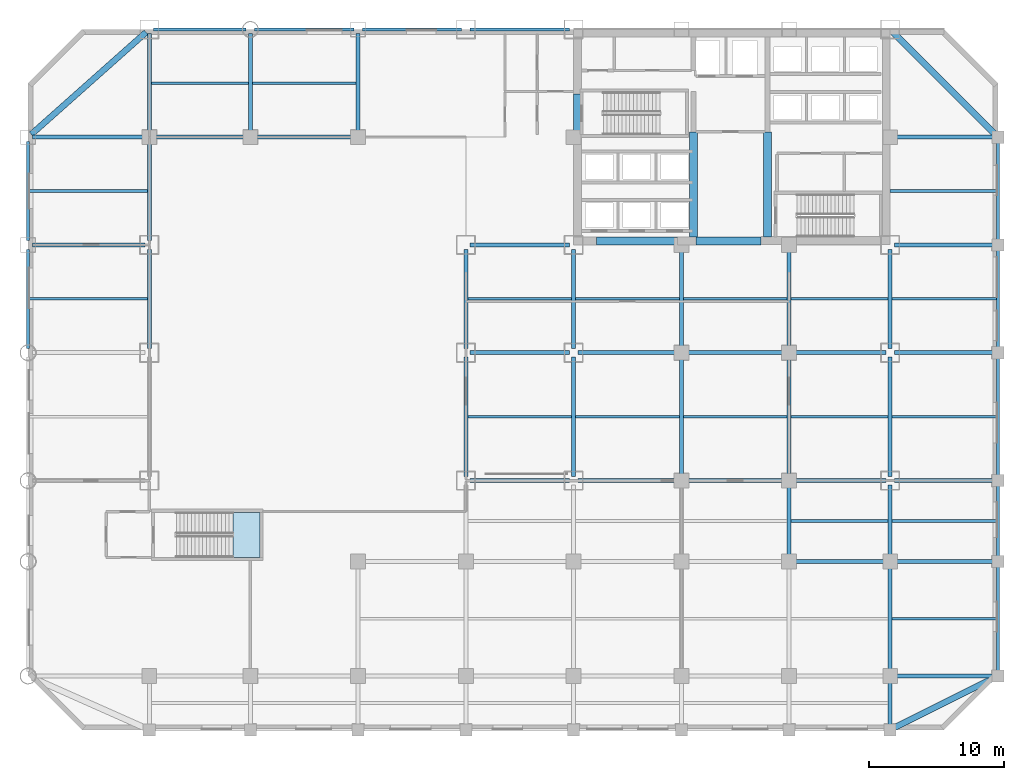
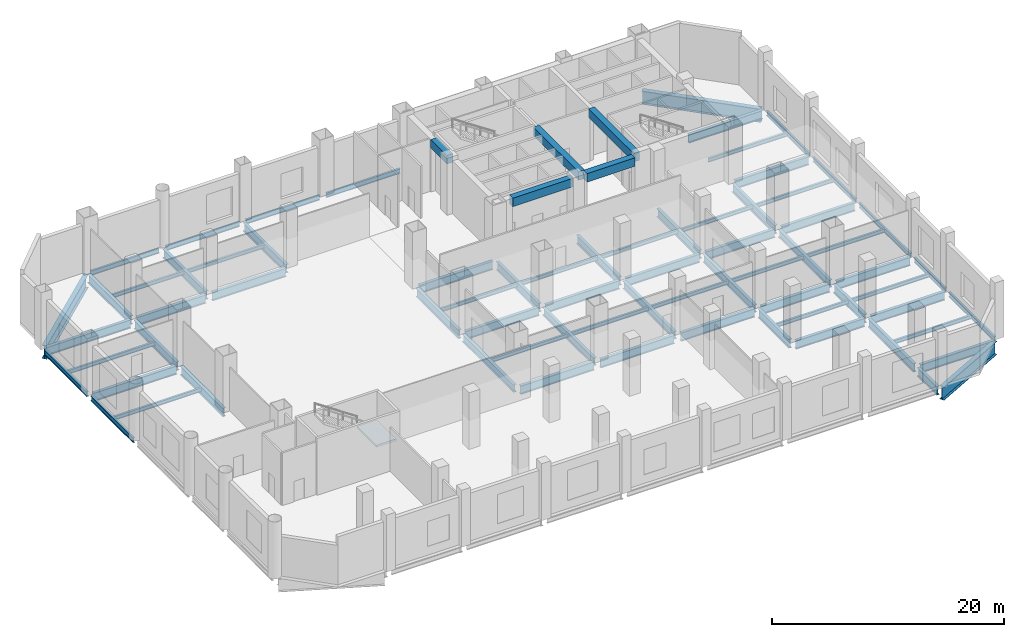
# One storey, part 2 of 11: 76 beams, 1 slab, 1 element without a shape of its own.
"""IFC4 building model written with IfcOpenShell, lengths in metres."""

from ifc_helpers import new_model, si_unit, direction, frame, origin, origin_2d, place, context, subcontext, project, spatial, polyline, rectangle, i_section, outline, extrude, material, layer, layer_set, material_profile, profile_set, type_object, element, aggregate, save


model = new_model("IFC4")

# Units and contexts
model_context = context("Model", 3, precision=1e-05, world=origin(), true_north=direction((0.0, 1.0)))
body_context = subcontext(model_context, "Body", "Model", "MODEL_VIEW")
ifc_project = project(units=[si_unit("LENGTHUNIT", "METRE"), si_unit("AREAUNIT", "SQUARE_METRE"), si_unit("VOLUMEUNIT", "CUBIC_METRE"), si_unit("PLANEANGLEUNIT", "RADIAN"), si_unit("MASSUNIT", "GRAM", prefix="KILO")], contexts=[model_context])

# Site, building, storey
site_placement = place(None, origin())
site = spatial("IfcSite", under=ifc_project, at=site_placement, CompositionType="ELEMENT")
building_placement = place(site_placement, origin())
building = spatial("IfcBuilding", under=site, at=building_placement, Name="Qianrong Seaharbour Tower", CompositionType="ELEMENT")
storey_placement = place(building_placement, frame((0.0, 0.0, 11.39990234375)))
storey = spatial("IfcBuildingStorey", under=building, at=storey_placement, Name="L03", CompositionType="ELEMENT", Elevation=11.39990234375)

# Beams
ifc_material_1 = material(Name="Structural steel SN490B", Category="steel")
ifc_material_profile_1 = material_profile(ifc_material_1, i_section(OverallWidth=0.300048828125, OverallDepth=0.800048828125, WebThickness=0.013916015625, FlangeThickness=0.02587890625, FilletRadius=0.028076171875, at=origin_2d()), Name="H800x300x14x26")
ifc_profile_set_1 = profile_set([ifc_material_profile_1], Name="Structural steel SN490B")
beam_type_1 = type_object("IfcBeamType", Name="BM-G-800", PredefinedType="BEAM", material=ifc_profile_set_1)
for number, where, z_axis, x_axis, name in (
    (1, (32.5, 18.820068359375, -0.679931640625), (0.0, 1.0, 0.0), (-1.0, 0.0, 0.0), "L03 Primary Girder G5 GD-GE"),
    (2, (40.5, 18.820068359375, -0.679931640625), (0.0, 1.0, 0.0), (-1.0, 0.0, 0.0), "L03 Primary Girder G6 GD-GE"),
    (3, (48.5, 18.820068359375, -0.679931640625), (0.0, 1.0, 0.0), (-1.0, 0.0, 0.0), "L03 Primary Girder G7 GD-GE"),
    (4, (56.5, 18.820068359375, -0.679931640625), (0.0, 1.0, 0.0), (-1.0, 0.0, 0.0), "L03 Primary Girder G8 GD-GE"),
    (5, (64.0, 18.820068359375, -0.679931640625), (0.0, 1.0, 0.0), (-1.0, 0.0, 0.0), "L03 Primary Girder G9 GD-GE"),
):
    element("IfcBeam", number, at=place(storey_placement, frame(where, z_axis=z_axis, x_axis=x_axis)), inside=storey, type_object=beam_type_1, Name=name, PredefinedType="BEAM", context=body_context, shape_type="SweptSolid", body=[
        extrude(i_section(OverallWidth=0.300048828125, OverallDepth=0.800048828125, WebThickness=0.013916015625, FlangeThickness=0.02587890625, FilletRadius=0.028076171875, at=origin_2d()), origin(), (0.0, 0.0, 1.0), 8.85986328125),
    ])
ifc_material_profile_2 = material_profile(ifc_material_1, i_section(OverallWidth=0.300048828125, OverallDepth=0.89990234375, WebThickness=0.01611328125, FlangeThickness=0.028076171875, FilletRadius=0.028076171875, at=origin_2d()), Name="H900x300x16x28")
ifc_profile_set_2 = profile_set([ifc_material_profile_2], Name="Structural steel SN490B")
beam_type_2 = type_object("IfcBeamType", Name="BM-G-900", PredefinedType="BEAM", material=ifc_profile_set_2)
beam_1_placement = place(storey_placement, frame((64.320068359375, 4.0, -0.72998046875), z_axis=(1.0, 0.0, 0.0), x_axis=(0.0, 1.0, 0.0)))
element("IfcBeam", 6, at=beam_1_placement, inside=storey, type_object=beam_type_2, Name="L03 Primary Girder GB G9-G10", PredefinedType="BEAM", context=body_context, shape_type="SweptSolid", body=[
    extrude(i_section(OverallWidth=0.300048828125, OverallDepth=0.89990234375, WebThickness=0.01611328125, FlangeThickness=0.028076171875, FilletRadius=0.028076171875, at=origin_2d()), origin(), (0.0, 0.0, 1.0), 7.35986328125),
])
beam_2_placement = place(storey_placement, frame((56.820068359375, 12.5, -0.72998046875), z_axis=(1.0, 0.0, 0.0), x_axis=(0.0, 1.0, 0.0)))
element("IfcBeam", 7, at=beam_2_placement, inside=storey, type_object=beam_type_2, Name="L03 Primary Girder GC G8-G9", PredefinedType="BEAM", context=body_context, shape_type="SweptSolid", body=[
    extrude(i_section(OverallWidth=0.300048828125, OverallDepth=0.89990234375, WebThickness=0.01611328125, FlangeThickness=0.028076171875, FilletRadius=0.028076171875, at=origin_2d()), origin(), (0.0, 0.0, 1.0), 6.85986328125),
])
for number, where, z_axis, x_axis, name in (
    (8, (64.320068359375, 12.5, -0.72998046875), (1.0, 0.0, 0.0), (0.0, 1.0, 0.0), "L03 Primary Girder GC G9-G10"),
    (9, (32.820068359375, 18.5, -0.72998046875), (1.0, 0.0, 0.0), (0.0, 1.0, 0.0), "L03 Primary Girder GD G5-G6"),
    (10, (40.820068359375, 18.5, -0.72998046875), (1.0, 0.0, 0.0), (0.0, 1.0, 0.0), "L03 Primary Girder GD G6-G7"),
    (11, (48.820068359375, 18.5, -0.72998046875), (1.0, 0.0, 0.0), (0.0, 1.0, 0.0), "L03 Primary Girder GD G7-G8"),
):
    element("IfcBeam", number, at=place(storey_placement, frame(where, z_axis=z_axis, x_axis=x_axis)), inside=storey, type_object=beam_type_2, Name=name, PredefinedType="BEAM", context=body_context, shape_type="SweptSolid", body=[
        extrude(i_section(OverallWidth=0.300048828125, OverallDepth=0.89990234375, WebThickness=0.01611328125, FlangeThickness=0.028076171875, FilletRadius=0.028076171875, at=origin_2d()), origin(), (0.0, 0.0, 1.0), 7.35986328125),
    ])
beam_3_placement = place(storey_placement, frame((56.820068359375, 18.5, -0.72998046875), z_axis=(1.0, 0.0, 0.0), x_axis=(0.0, 1.0, 0.0)))
element("IfcBeam", 12, at=beam_3_placement, inside=storey, type_object=beam_type_2, Name="L03 Primary Girder GD G8-G9", PredefinedType="BEAM", context=body_context, shape_type="SweptSolid", body=[
    extrude(i_section(OverallWidth=0.300048828125, OverallDepth=0.89990234375, WebThickness=0.01611328125, FlangeThickness=0.028076171875, FilletRadius=0.028076171875, at=origin_2d()), origin(), (0.0, 0.0, 1.0), 6.85986328125),
])
for number, where, z_axis, x_axis, name in (
    (13, (64.320068359375, 18.5, -0.72998046875), (1.0, 0.0, 0.0), (0.0, 1.0, 0.0), "L03 Primary Girder GD G9-G10"),
    (14, (32.820068359375, 28.0, -0.72998046875), (1.0, 0.0, 0.0), (0.0, 1.0, 0.0), "L03 Primary Girder GE G5-G6"),
    (15, (40.820068359375, 28.0, -0.72998046875), (1.0, 0.0, 0.0), (0.0, 1.0, 0.0), "L03 Primary Girder GE G6-G7"),
    (16, (48.820068359375, 28.0, -0.72998046875), (1.0, 0.0, 0.0), (0.0, 1.0, 0.0), "L03 Primary Girder GE G7-G8"),
):
    element("IfcBeam", number, at=place(storey_placement, frame(where, z_axis=z_axis, x_axis=x_axis)), inside=storey, type_object=beam_type_2, Name=name, PredefinedType="BEAM", context=body_context, shape_type="SweptSolid", body=[
        extrude(i_section(OverallWidth=0.300048828125, OverallDepth=0.89990234375, WebThickness=0.01611328125, FlangeThickness=0.028076171875, FilletRadius=0.028076171875, at=origin_2d()), origin(), (0.0, 0.0, 1.0), 7.35986328125),
    ])
beam_4_placement = place(storey_placement, frame((56.820068359375, 28.0, -0.72998046875), z_axis=(1.0, 0.0, 0.0), x_axis=(0.0, 1.0, 0.0)))
element("IfcBeam", 17, at=beam_4_placement, inside=storey, type_object=beam_type_2, Name="L03 Primary Girder GE G8-G9", PredefinedType="BEAM", context=body_context, shape_type="SweptSolid", body=[
    extrude(i_section(OverallWidth=0.300048828125, OverallDepth=0.89990234375, WebThickness=0.01611328125, FlangeThickness=0.028076171875, FilletRadius=0.028076171875, at=origin_2d()), origin(), (0.0, 0.0, 1.0), 6.85986328125),
])
beam_5_placement = place(storey_placement, frame((64.320068359375, 28.0, -0.72998046875), z_axis=(1.0, 0.0, 0.0), x_axis=(0.0, 1.0, 0.0)))
element("IfcBeam", 18, at=beam_5_placement, inside=storey, type_object=beam_type_2, Name="L03 Primary Girder GE G9-G10", PredefinedType="BEAM", context=body_context, shape_type="SweptSolid", body=[
    extrude(i_section(OverallWidth=0.300048828125, OverallDepth=0.89990234375, WebThickness=0.01611328125, FlangeThickness=0.028076171875, FilletRadius=0.028076171875, at=origin_2d()), origin(), (0.0, 0.0, 1.0), 7.35986328125),
])
beam_6_placement = place(storey_placement, frame((0.320068359375, 36.0, -0.72998046875), z_axis=(1.0, 0.0, 0.0), x_axis=(0.0, 1.0, 0.0)))
element("IfcBeam", 19, at=beam_6_placement, inside=storey, type_object=beam_type_2, Name="L03 Primary Girder GF G1-G2", PredefinedType="BEAM", context=body_context, shape_type="SweptSolid", body=[
    extrude(i_section(OverallWidth=0.300048828125, OverallDepth=0.89990234375, WebThickness=0.01611328125, FlangeThickness=0.028076171875, FilletRadius=0.028076171875, at=origin_2d()), origin(), (0.0, 0.0, 1.0), 8.35986328125),
])
for number, where, z_axis, x_axis, name in (
    (20, (32.820068359375, 36.0, -0.72998046875), (1.0, 0.0, 0.0), (0.0, 1.0, 0.0), "L03 Primary Girder GF G5-G6"),
    (21, (64.320068359375, 36.0, -0.72998046875), (1.0, 0.0, 0.0), (0.0, 1.0, 0.0), "L03 Primary Girder GF G9-G10"),
):
    element("IfcBeam", number, at=place(storey_placement, frame(where, z_axis=z_axis, x_axis=x_axis)), inside=storey, type_object=beam_type_2, Name=name, PredefinedType="BEAM", context=body_context, shape_type="SweptSolid", body=[
        extrude(i_section(OverallWidth=0.300048828125, OverallDepth=0.89990234375, WebThickness=0.01611328125, FlangeThickness=0.028076171875, FilletRadius=0.028076171875, at=origin_2d()), origin(), (0.0, 0.0, 1.0), 7.35986328125),
    ])
beam_7_placement = place(storey_placement, frame((0.320068359375, 44.0, -0.72998046875), z_axis=(1.0, 0.0, 0.0), x_axis=(0.0, 1.0, 0.0)))
element("IfcBeam", 22, at=beam_7_placement, inside=storey, type_object=beam_type_2, Name="L03 Primary Girder GG G1-G2", PredefinedType="BEAM", context=body_context, shape_type="SweptSolid", body=[
    extrude(i_section(OverallWidth=0.300048828125, OverallDepth=0.89990234375, WebThickness=0.01611328125, FlangeThickness=0.028076171875, FilletRadius=0.028076171875, at=origin_2d()), origin(), (0.0, 0.0, 1.0), 8.35986328125),
])
beam_8_placement = place(storey_placement, frame((9.320068359375, 44.0, -0.72998046875), z_axis=(1.0, 0.0, 0.0), x_axis=(0.0, 1.0, 0.0)))
element("IfcBeam", 23, at=beam_8_placement, inside=storey, type_object=beam_type_2, Name="L03 Primary Girder GG G2-G3", PredefinedType="BEAM", context=body_context, shape_type="SweptSolid", body=[
    extrude(i_section(OverallWidth=0.300048828125, OverallDepth=0.89990234375, WebThickness=0.01611328125, FlangeThickness=0.028076171875, FilletRadius=0.028076171875, at=origin_2d()), origin(), (0.0, 0.0, 1.0), 6.85986328125),
])
for number, where, z_axis, x_axis, name in (
    (24, (16.820068359375, 44.0, -0.72998046875), (1.0, 0.0, 0.0), (0.0, 1.0, 0.0), "L03 Primary Girder GG G3-G4"),
    (25, (64.320068359375, 44.0, -0.72998046875), (1.0, 0.0, 0.0), (0.0, 1.0, 0.0), "L03 Primary Girder GG G9-G10"),
    (26, (9.0, 28.320068359375, -0.72998046875), (0.0, 1.0, 0.0), (-1.0, 0.0, 0.0), "L03 Primary Girder G2 GE-GF"),
    (27, (9.0, 36.320068359375, -0.72998046875), (0.0, 1.0, 0.0), (-1.0, 0.0, 0.0), "L03 Primary Girder G2 GF-GG"),
    (28, (9.0, 44.320068359375, -0.72998046875), (0.0, 1.0, 0.0), (-1.0, 0.0, 0.0), "L03 Primary Girder G2 GG-GH"),
    (29, (16.5, 44.320068359375, -0.72998046875), (0.0, 1.0, 0.0), (-1.0, 0.0, 0.0), "L03 Primary Girder G3 GG-GH"),
    (30, (24.5, 44.320068359375, -0.72998046875), (0.0, 1.0, 0.0), (-1.0, 0.0, 0.0), "L03 Primary Girder G4 GG-GH"),
    (31, (32.5, 28.320068359375, -0.72998046875), (0.0, 1.0, 0.0), (-1.0, 0.0, 0.0), "L03 Primary Girder G5 GE-GF"),
    (32, (40.5, 28.320068359375, -0.72998046875), (0.0, 1.0, 0.0), (-1.0, 0.0, 0.0), "L03 Primary Girder G6 GE-GF"),
    (33, (48.5, 28.320068359375, -0.72998046875), (0.0, 1.0, 0.0), (-1.0, 0.0, 0.0), "L03 Primary Girder G7 GE-GF"),
):
    element("IfcBeam", number, at=place(storey_placement, frame(where, z_axis=z_axis, x_axis=x_axis)), inside=storey, type_object=beam_type_2, Name=name, PredefinedType="BEAM", context=body_context, shape_type="SweptSolid", body=[
        extrude(i_section(OverallWidth=0.300048828125, OverallDepth=0.89990234375, WebThickness=0.01611328125, FlangeThickness=0.028076171875, FilletRadius=0.028076171875, at=origin_2d()), origin(), (0.0, 0.0, 1.0), 7.35986328125),
    ])
beam_9_placement = place(storey_placement, frame((56.5, 12.820068359375, -0.72998046875), z_axis=(0.0, 1.0, 0.0), x_axis=(-1.0, 0.0, 0.0)))
element("IfcBeam", 34, at=beam_9_placement, inside=storey, type_object=beam_type_2, Name="L03 Primary Girder G8 GC-GD", PredefinedType="BEAM", context=body_context, shape_type="SweptSolid", body=[
    extrude(i_section(OverallWidth=0.300048828125, OverallDepth=0.89990234375, WebThickness=0.01611328125, FlangeThickness=0.028076171875, FilletRadius=0.028076171875, at=origin_2d()), origin(), (0.0, 0.0, 1.0), 5.35986328125),
])
beam_10_placement = place(storey_placement, frame((56.5, 28.320068359375, -0.72998046875), z_axis=(0.0, 1.0, 0.0), x_axis=(-1.0, 0.0, 0.0)))
element("IfcBeam", 35, at=beam_10_placement, inside=storey, type_object=beam_type_2, Name="L03 Primary Girder G8 GE-GF", PredefinedType="BEAM", context=body_context, shape_type="SweptSolid", body=[
    extrude(i_section(OverallWidth=0.300048828125, OverallDepth=0.89990234375, WebThickness=0.01611328125, FlangeThickness=0.028076171875, FilletRadius=0.028076171875, at=origin_2d()), origin(), (0.0, 0.0, 1.0), 7.35986328125),
])
beam_11_placement = place(storey_placement, frame((64.0, 0.320068359375, -0.72998046875), z_axis=(0.0, 1.0, 0.0), x_axis=(-1.0, 0.0, 0.0)))
element("IfcBeam", 36, at=beam_11_placement, inside=storey, type_object=beam_type_2, Name="L03 Primary Girder G9 GA-GB", PredefinedType="BEAM", context=body_context, shape_type="SweptSolid", body=[
    extrude(i_section(OverallWidth=0.300048828125, OverallDepth=0.89990234375, WebThickness=0.01611328125, FlangeThickness=0.028076171875, FilletRadius=0.028076171875, at=origin_2d()), origin(), (0.0, 0.0, 1.0), 3.35986328125),
])
beam_12_placement = place(storey_placement, frame((64.0, 4.320068359375, -0.72998046875), z_axis=(0.0, 1.0, 0.0), x_axis=(-1.0, 0.0, 0.0)))
element("IfcBeam", 37, at=beam_12_placement, inside=storey, type_object=beam_type_2, Name="L03 Primary Girder G9 GB-GC", PredefinedType="BEAM", context=body_context, shape_type="SweptSolid", body=[
    extrude(i_section(OverallWidth=0.300048828125, OverallDepth=0.89990234375, WebThickness=0.01611328125, FlangeThickness=0.028076171875, FilletRadius=0.028076171875, at=origin_2d()), origin(), (0.0, 0.0, 1.0), 7.85986328125),
])
beam_13_placement = place(storey_placement, frame((64.0, 12.820068359375, -0.72998046875), z_axis=(0.0, 1.0, 0.0), x_axis=(-1.0, 0.0, 0.0)))
element("IfcBeam", 38, at=beam_13_placement, inside=storey, type_object=beam_type_2, Name="L03 Primary Girder G9 GC-GD", PredefinedType="BEAM", context=body_context, shape_type="SweptSolid", body=[
    extrude(i_section(OverallWidth=0.300048828125, OverallDepth=0.89990234375, WebThickness=0.01611328125, FlangeThickness=0.028076171875, FilletRadius=0.028076171875, at=origin_2d()), origin(), (0.0, 0.0, 1.0), 5.35986328125),
])
beam_14_placement = place(storey_placement, frame((64.0, 28.320068359375, -0.72998046875), z_axis=(0.0, 1.0, 0.0), x_axis=(-1.0, 0.0, 0.0)))
element("IfcBeam", 39, at=beam_14_placement, inside=storey, type_object=beam_type_2, Name="L03 Primary Girder G9 GE-GF", PredefinedType="BEAM", context=body_context, shape_type="SweptSolid", body=[
    extrude(i_section(OverallWidth=0.300048828125, OverallDepth=0.89990234375, WebThickness=0.01611328125, FlangeThickness=0.028076171875, FilletRadius=0.028076171875, at=origin_2d()), origin(), (0.0, 0.0, 1.0), 7.35986328125),
])
ifc_material_2 = material(Name="Structural steel SN400B", Category="steel")
ifc_material_profile_3 = material_profile(ifc_material_2, i_section(OverallWidth=0.199951171875, OverallDepth=0.39990234375, WebThickness=0.008056640625, FlangeThickness=0.012939453125, FilletRadius=0.01611328125, at=origin_2d()), Name="H400x200x8x13")
ifc_profile_set_3 = profile_set([ifc_material_profile_3], Name="Structural steel SN400B")
beam_type_3 = type_object("IfcBeamType", Name="BM-J-400", PredefinedType="JOIST", material=ifc_profile_set_3)
for number, where, z_axis, x_axis, name in (
    (40, (0.10009765625, 32.0, -0.47998046875), (1.0, 0.0, 0.0), (0.0, 1.0, 0.0), "L03 Composite Floor Joist G1-G2/GE-GF"),
    (41, (0.10009765625, 40.0, -0.47998046875), (1.0, 0.0, 0.0), (0.0, 1.0, 0.0), "L03 Composite Floor Joist G1-G2/GF-GG"),
):
    element("IfcBeam", number, at=place(storey_placement, frame(where, z_axis=z_axis, x_axis=x_axis)), inside=storey, type_object=beam_type_3, Name=name, PredefinedType="JOIST", context=body_context, shape_type="SweptSolid", body=[
        extrude(i_section(OverallWidth=0.199951171875, OverallDepth=0.39990234375, WebThickness=0.008056640625, FlangeThickness=0.012939453125, FilletRadius=0.01611328125, at=origin_2d()), origin(), (0.0, 0.0, 1.0), 8.75),
    ])
beam_15_placement = place(storey_placement, frame((9.14990234375, 48.0, -0.47998046875), z_axis=(1.0, 0.0, 0.0), x_axis=(0.0, 1.0, 0.0)))
element("IfcBeam", 42, at=beam_15_placement, inside=storey, type_object=beam_type_3, Name="L03 Composite Floor Joist G2-G3/GG-GH", PredefinedType="JOIST", context=body_context, shape_type="SweptSolid", body=[
    extrude(i_section(OverallWidth=0.199951171875, OverallDepth=0.39990234375, WebThickness=0.008056640625, FlangeThickness=0.012939453125, FilletRadius=0.01611328125, at=origin_2d()), origin(), (0.0, 0.0, 1.0), 7.2001953125),
])
for number, where, z_axis, x_axis, name in (
    (43, (16.64990234375, 48.0, -0.47998046875), (1.0, 0.0, 0.0), (0.0, 1.0, 0.0), "L03 Composite Floor Joist G3-G4/GG-GH"),
    (44, (32.64990234375, 23.25, -0.47998046875), (1.0, 0.0, 0.0), (0.0, 1.0, 0.0), "L03 Composite Floor Joist G5-G6/GD-GE"),
    (45, (32.64990234375, 32.0, -0.47998046875), (1.0, 0.0, 0.0), (0.0, 1.0, 0.0), "L03 Composite Floor Joist G5-G6/GE-GF"),
    (46, (40.64990234375, 23.25, -0.47998046875), (1.0, 0.0, 0.0), (0.0, 1.0, 0.0), "L03 Composite Floor Joist G6-G7/GD-GE"),
    (47, (40.64990234375, 32.0, -0.47998046875), (1.0, 0.0, 0.0), (0.0, 1.0, 0.0), "L03 Composite Floor Joist G6-G7/GE-GF"),
    (48, (48.64990234375, 23.25, -0.47998046875), (1.0, 0.0, 0.0), (0.0, 1.0, 0.0), "L03 Composite Floor Joist G7-G8/GD-GE"),
    (49, (48.64990234375, 32.0, -0.47998046875), (1.0, 0.0, 0.0), (0.0, 1.0, 0.0), "L03 Composite Floor Joist G7-G8/GE-GF"),
):
    element("IfcBeam", number, at=place(storey_placement, frame(where, z_axis=z_axis, x_axis=x_axis)), inside=storey, type_object=beam_type_3, Name=name, PredefinedType="JOIST", context=body_context, shape_type="SweptSolid", body=[
        extrude(i_section(OverallWidth=0.199951171875, OverallDepth=0.39990234375, WebThickness=0.008056640625, FlangeThickness=0.012939453125, FilletRadius=0.01611328125, at=origin_2d()), origin(), (0.0, 0.0, 1.0), 7.7001953125),
    ])
for number, where, z_axis, x_axis, name in (
    (50, (56.64990234375, 15.5, -0.47998046875), (1.0, 0.0, 0.0), (0.0, 1.0, 0.0), "L03 Composite Floor Joist G8-G9/GC-GD"),
    (51, (56.64990234375, 23.25, -0.47998046875), (1.0, 0.0, 0.0), (0.0, 1.0, 0.0), "L03 Composite Floor Joist G8-G9/GD-GE"),
    (52, (56.64990234375, 32.0, -0.47998046875), (1.0, 0.0, 0.0), (0.0, 1.0, 0.0), "L03 Composite Floor Joist G8-G9/GE-GF"),
):
    element("IfcBeam", number, at=place(storey_placement, frame(where, z_axis=z_axis, x_axis=x_axis)), inside=storey, type_object=beam_type_3, Name=name, PredefinedType="JOIST", context=body_context, shape_type="SweptSolid", body=[
        extrude(i_section(OverallWidth=0.199951171875, OverallDepth=0.39990234375, WebThickness=0.008056640625, FlangeThickness=0.012939453125, FilletRadius=0.01611328125, at=origin_2d()), origin(), (0.0, 0.0, 1.0), 7.2001953125),
    ])
for number, where, z_axis, x_axis, name in (
    (53, (64.14990234375, 8.25, -0.47998046875), (1.0, 0.0, 0.0), (0.0, 1.0, 0.0), "L03 Composite Floor Joist G9-G10/GB-GC"),
    (54, (64.14990234375, 15.5, -0.47998046875), (1.0, 0.0, 0.0), (0.0, 1.0, 0.0), "L03 Composite Floor Joist G9-G10/GC-GD"),
    (55, (64.14990234375, 23.25, -0.47998046875), (1.0, 0.0, 0.0), (0.0, 1.0, 0.0), "L03 Composite Floor Joist G9-G10/GD-GE"),
    (56, (64.14990234375, 32.0, -0.47998046875), (1.0, 0.0, 0.0), (0.0, 1.0, 0.0), "L03 Composite Floor Joist G9-G10/GE-GF"),
):
    element("IfcBeam", number, at=place(storey_placement, frame(where, z_axis=z_axis, x_axis=x_axis)), inside=storey, type_object=beam_type_3, Name=name, PredefinedType="JOIST", context=body_context, shape_type="SweptSolid", body=[
        extrude(i_section(OverallWidth=0.199951171875, OverallDepth=0.39990234375, WebThickness=0.008056640625, FlangeThickness=0.012939453125, FilletRadius=0.01611328125, at=origin_2d()), origin(), (0.0, 0.0, 1.0), 7.75),
    ])
beam_16_placement = place(storey_placement, frame((64.0, 40.0, -0.47998046875), z_axis=(1.0, 0.0, 0.0), x_axis=(0.0, 1.0, 0.0)))
element("IfcBeam", 57, at=beam_16_placement, inside=storey, type_object=beam_type_3, Name="L03 Composite Floor Joist G9-G10/GF-GG", PredefinedType="JOIST", context=body_context, shape_type="SweptSolid", body=[
    extrude(i_section(OverallWidth=0.199951171875, OverallDepth=0.39990234375, WebThickness=0.008056640625, FlangeThickness=0.012939453125, FilletRadius=0.01611328125, at=origin_2d()), origin(), (0.0, 0.0, 1.0), 7.89990234375),
])
ifc_material_3 = material(Name="Concrete C70/85", Category="concrete")
ifc_material_profile_4 = material_profile(ifc_material_3, rectangle(XDim=0.60009765625, YDim=0.89990234375, at=origin_2d()), Name="RC600x900")
ifc_profile_set_4 = profile_set([ifc_material_profile_4], Name="Concrete C70/85")
beam_type_4 = type_object("IfcBeamType", Name="BM-LINTEL-900", PredefinedType="LINTEL", material=ifc_profile_set_4)
beam_17_placement = place(storey_placement, frame((40.7900390625, 44.39990234375, 5.10009765625), z_axis=(0.0, 1.0, 0.0), x_axis=(-1.0, 0.0, 0.0)))
element("IfcBeam", 58, at=beam_17_placement, inside=storey, type_object=beam_type_4, Name="L03 Core Coupling Lintel Beam West", PredefinedType="LINTEL", context=body_context, shape_type="SweptSolid", body=[
    extrude(rectangle(XDim=0.60009765625, YDim=0.89990234375, at=origin_2d()), origin(), (0.0, 0.0, 1.0), 2.800048828125),
])
beam_18_placement = place(storey_placement, frame((42.199951171875, 36.2900390625, 5.10009765625), z_axis=(1.0, 0.0, 0.0), x_axis=(0.0, 1.0, 0.0)))
element("IfcBeam", 59, at=beam_18_placement, inside=storey, type_object=beam_type_4, Name="L03 Core Coupling Lintel Beam CBW", PredefinedType="LINTEL", context=body_context, shape_type="SweptSolid", body=[
    extrude(rectangle(XDim=0.60009765625, YDim=0.89990234375, at=origin_2d()), origin(), (0.0, 0.0, 1.0), 6.0),
])
beam_19_placement = place(storey_placement, frame((49.60009765625, 36.2900390625, 5.10009765625), z_axis=(1.0, 0.0, 0.0), x_axis=(0.0, 1.0, 0.0)))
element("IfcBeam", 60, at=beam_19_placement, inside=storey, type_object=beam_type_4, Name="L03 Core Coupling Lintel Beam CBC", PredefinedType="LINTEL", context=body_context, shape_type="SweptSolid", body=[
    extrude(rectangle(XDim=0.60009765625, YDim=0.89990234375, at=origin_2d()), origin(), (0.0, 0.0, 1.0), 4.7998046875),
])
for number, where, z_axis, x_axis, name in (
    (61, (49.39990234375, 36.580078125, 5.10009765625), (0.0, 1.0, 0.0), (-1.0, 0.0, 0.0), "L03 Internal Core Coupling Beam IW1"),
    (62, (54.89990234375, 36.580078125, 5.10009765625), (0.0, 1.0, 0.0), (-1.0, 0.0, 0.0), "L03 Internal Core Coupling Beam IW2"),
):
    element("IfcBeam", number, at=place(storey_placement, frame(where, z_axis=z_axis, x_axis=x_axis)), inside=storey, type_object=beam_type_4, Name=name, PredefinedType="LINTEL", context=body_context, shape_type="SweptSolid", body=[
        extrude(rectangle(XDim=0.60009765625, YDim=0.89990234375, at=origin_2d()), origin(), (0.0, 0.0, 1.0), 7.81982421875),
    ])
ifc_material_profile_5 = material_profile(ifc_material_1, i_section(OverallWidth=0.199951171875, OverallDepth=0.5, WebThickness=0.010009765625, FlangeThickness=0.01611328125, FilletRadius=0.02001953125, at=origin_2d()), Name="H500x200x10x16")
ifc_profile_set_5 = profile_set([ifc_material_profile_5], Name="Structural steel SN490B")
beam_type_5 = type_object("IfcBeamType", Name="BM-SP-500", PredefinedType="SPANDREL", material=ifc_profile_set_5)
beam_20_placement = place(storey_placement, frame((9.320068359375, 52.0, -0.52978515625), z_axis=(1.0, 0.0, 0.0), x_axis=(0.0, 1.0, 0.0)))
element("IfcBeam", 63, at=beam_20_placement, inside=storey, type_object=beam_type_5, Name="L03 Spandrel Girder GH G2-G3", PredefinedType="SPANDREL", context=body_context, shape_type="SweptSolid", body=[
    extrude(i_section(OverallWidth=0.199951171875, OverallDepth=0.5, WebThickness=0.010009765625, FlangeThickness=0.01611328125, FilletRadius=0.02001953125, at=origin_2d()), origin(), (0.0, 0.0, 1.0), 6.85986328125),
])
for number, where, z_axis, x_axis, name in (
    (64, (16.820068359375, 52.0, -0.52978515625), (1.0, 0.0, 0.0), (0.0, 1.0, 0.0), "L03 Spandrel Girder GH G3-G4"),
    (65, (24.820068359375, 52.0, -0.52978515625), (1.0, 0.0, 0.0), (0.0, 1.0, 0.0), "L03 Spandrel Girder GH G4-G5"),
    (66, (32.820068359375, 52.0, -0.52978515625), (1.0, 0.0, 0.0), (0.0, 1.0, 0.0), "L03 Spandrel Girder GH G5-G6"),
    (67, (0.0, 28.320068359375, -0.52978515625), (0.0, 1.0, 0.0), (-1.0, 0.0, 0.0), "L03 Spandrel Girder G1 GE-GF"),
    (68, (0.0, 36.320068359375, -0.52978515625), (0.0, 1.0, 0.0), (-1.0, 0.0, 0.0), "L03 Spandrel Girder G1 GF-GG"),
):
    element("IfcBeam", number, at=place(storey_placement, frame(where, z_axis=z_axis, x_axis=x_axis)), inside=storey, type_object=beam_type_5, Name=name, PredefinedType="SPANDREL", context=body_context, shape_type="SweptSolid", body=[
        extrude(i_section(OverallWidth=0.199951171875, OverallDepth=0.5, WebThickness=0.010009765625, FlangeThickness=0.01611328125, FilletRadius=0.02001953125, at=origin_2d()), origin(), (0.0, 0.0, 1.0), 7.35986328125),
    ])
beam_21_placement = place(storey_placement, frame((72.0, 4.320068359375, -0.52978515625), z_axis=(0.0, 1.0, 0.0), x_axis=(-1.0, 0.0, 0.0)))
element("IfcBeam", 69, at=beam_21_placement, inside=storey, type_object=beam_type_5, Name="L03 Spandrel Girder G10 GB-GC", PredefinedType="SPANDREL", context=body_context, shape_type="SweptSolid", body=[
    extrude(i_section(OverallWidth=0.199951171875, OverallDepth=0.5, WebThickness=0.010009765625, FlangeThickness=0.01611328125, FilletRadius=0.02001953125, at=origin_2d()), origin(), (0.0, 0.0, 1.0), 7.85986328125),
])
beam_22_placement = place(storey_placement, frame((72.0, 12.820068359375, -0.52978515625), z_axis=(0.0, 1.0, 0.0), x_axis=(-1.0, 0.0, 0.0)))
element("IfcBeam", 70, at=beam_22_placement, inside=storey, type_object=beam_type_5, Name="L03 Spandrel Girder G10 GC-GD", PredefinedType="SPANDREL", context=body_context, shape_type="SweptSolid", body=[
    extrude(i_section(OverallWidth=0.199951171875, OverallDepth=0.5, WebThickness=0.010009765625, FlangeThickness=0.01611328125, FilletRadius=0.02001953125, at=origin_2d()), origin(), (0.0, 0.0, 1.0), 5.35986328125),
])
beam_23_placement = place(storey_placement, frame((72.0, 18.820068359375, -0.52978515625), z_axis=(0.0, 1.0, 0.0), x_axis=(-1.0, 0.0, 0.0)))
element("IfcBeam", 71, at=beam_23_placement, inside=storey, type_object=beam_type_5, Name="L03 Spandrel Girder G10 GD-GE", PredefinedType="SPANDREL", context=body_context, shape_type="SweptSolid", body=[
    extrude(i_section(OverallWidth=0.199951171875, OverallDepth=0.5, WebThickness=0.010009765625, FlangeThickness=0.01611328125, FilletRadius=0.02001953125, at=origin_2d()), origin(), (0.0, 0.0, 1.0), 8.85986328125),
])
for number, where, z_axis, x_axis, name in (
    (72, (72.0, 28.320068359375, -0.52978515625), (0.0, 1.0, 0.0), (-1.0, 0.0, 0.0), "L03 Spandrel Girder G10 GE-GF"),
    (73, (72.0, 36.320068359375, -0.52978515625), (0.0, 1.0, 0.0), (-1.0, 0.0, 0.0), "L03 Spandrel Girder G10 GF-GG"),
):
    element("IfcBeam", number, at=place(storey_placement, frame(where, z_axis=z_axis, x_axis=x_axis)), inside=storey, type_object=beam_type_5, Name=name, PredefinedType="SPANDREL", context=body_context, shape_type="SweptSolid", body=[
        extrude(i_section(OverallWidth=0.199951171875, OverallDepth=0.5, WebThickness=0.010009765625, FlangeThickness=0.01611328125, FilletRadius=0.02001953125, at=origin_2d()), origin(), (0.0, 0.0, 1.0), 7.35986328125),
    ])
ifc_material_profile_6 = material_profile(ifc_material_1, i_section(OverallWidth=0.449951171875, OverallDepth=1.39990234375, WebThickness=0.02197265625, FlangeThickness=0.0400390625, at=origin_2d()), Name="BH1400x450x22x40")
ifc_profile_set_6 = profile_set([ifc_material_profile_6], Name="Structural steel SN490B")
beam_type_6 = type_object("IfcBeamType", Name="BM-TG-1400", PredefinedType="BEAM", material=ifc_profile_set_6)
beam_24_placement = place(storey_placement, frame((8.7607421875, 51.787353515625, -0.97998046875), z_axis=(-0.747406955841, -0.664366497018, 0.0), x_axis=(0.664366497018, -0.747406955841, 0.0)))
element("IfcBeam", 74, at=beam_24_placement, inside=storey, type_object=beam_type_6, Name="L03 Chamfer Corner Spandrel Girder G1/GH", PredefinedType="BEAM", context=body_context, shape_type="SweptSolid", body=[
    extrude(i_section(OverallWidth=0.449951171875, OverallDepth=1.39990234375, WebThickness=0.02197265625, FlangeThickness=0.0400390625, at=origin_2d()), origin(), (0.0, 0.0, 1.0), 11.4013671875),
])
beam_25_placement = place(storey_placement, frame((64.2861328125, 0.14306640625, -0.97998046875), z_axis=(0.894427191, 0.4472135955, 0.0), x_axis=(-0.4472135955, 0.894427191, 0.0)))
element("IfcBeam", 75, at=beam_25_placement, inside=storey, type_object=beam_type_6, Name="L03 Chamfer Corner Spandrel Girder G10/GA", PredefinedType="BEAM", context=body_context, shape_type="SweptSolid", body=[
    extrude(i_section(OverallWidth=0.449951171875, OverallDepth=1.39990234375, WebThickness=0.02197265625, FlangeThickness=0.0400390625, at=origin_2d()), origin(), (0.0, 0.0, 1.0), 8.304443359375),
])
beam_26_placement = place(storey_placement, frame((64.226318359375, 51.773681640625, -0.97998046875), z_axis=(0.707106781187, -0.707106781187, 0.0), x_axis=(0.707106781187, 0.707106781187, 0.0)))
element("IfcBeam", 76, at=beam_26_placement, inside=storey, type_object=beam_type_6, Name="L03 Chamfer Corner Spandrel Girder G10/GH", PredefinedType="BEAM", context=body_context, shape_type="SweptSolid", body=[
    extrude(i_section(OverallWidth=0.449951171875, OverallDepth=1.39990234375, WebThickness=0.02197265625, FlangeThickness=0.0400390625, at=origin_2d()), origin(), (0.0, 0.0, 1.0), 10.673583984375),
])

# Stair, slab
ifc_material_4 = material(Name="Concrete C50/60", Category="concrete")
stair_type = type_object("IfcStairType", Name="STAIR-DOGLEG-1600-R32", PredefinedType="HALF_TURN_STAIR", material=ifc_material_4)
stair_placement = place(storey_placement, origin())
stair = element("IfcStair", 77, at=stair_placement, inside=storey, type_object=stair_type, Name="L03 Protected Escape Stair PST-3", PredefinedType="HALF_TURN_STAIR")
ifc_layer = layer(ifc_material_4, 0.199951171875)
ifc_layer_set = layer_set([ifc_layer], Name="Concrete C50/60")
slab_type = type_object("IfcSlabType", Name="SLAB-STAIR-LANDING-200", PredefinedType="LANDING", material=ifc_layer_set)
slab_placement = place(storey_placement, frame((0.0, 0.0, 2.800048828125)))
slab = element("IfcSlab", 78, at=slab_placement, type_object=slab_type, Name="PST-3 landing 1", PredefinedType="LANDING", context=body_context, shape_type="SweptSolid", body=[
    extrude(outline(polyline([(15.199951171875, 12.800048828125), (17.199951171875, 12.800048828125), (17.199951171875, 16.14990234375), (15.199951171875, 16.14990234375), (15.199951171875, 12.800048828125)])), origin(), (0.0, 0.0, 1.0), 0.199951171875),
])
aggregate(stair, [slab])

save(model, "model.ifc")
